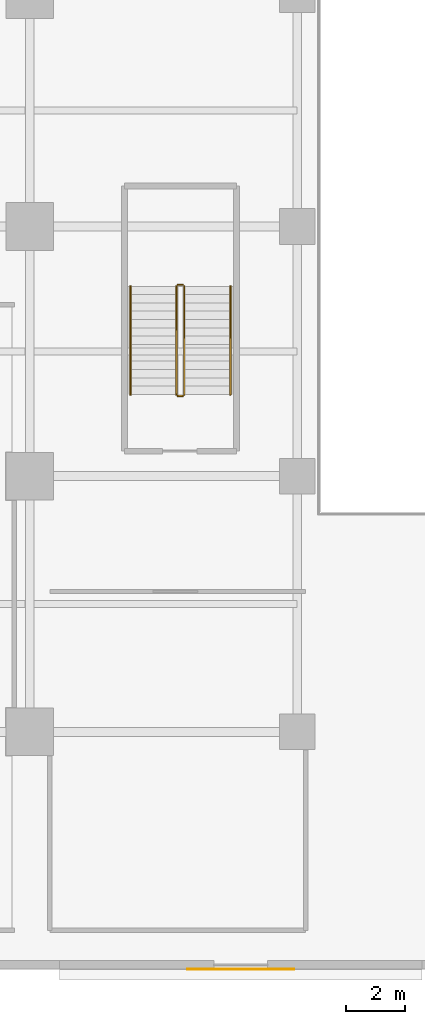
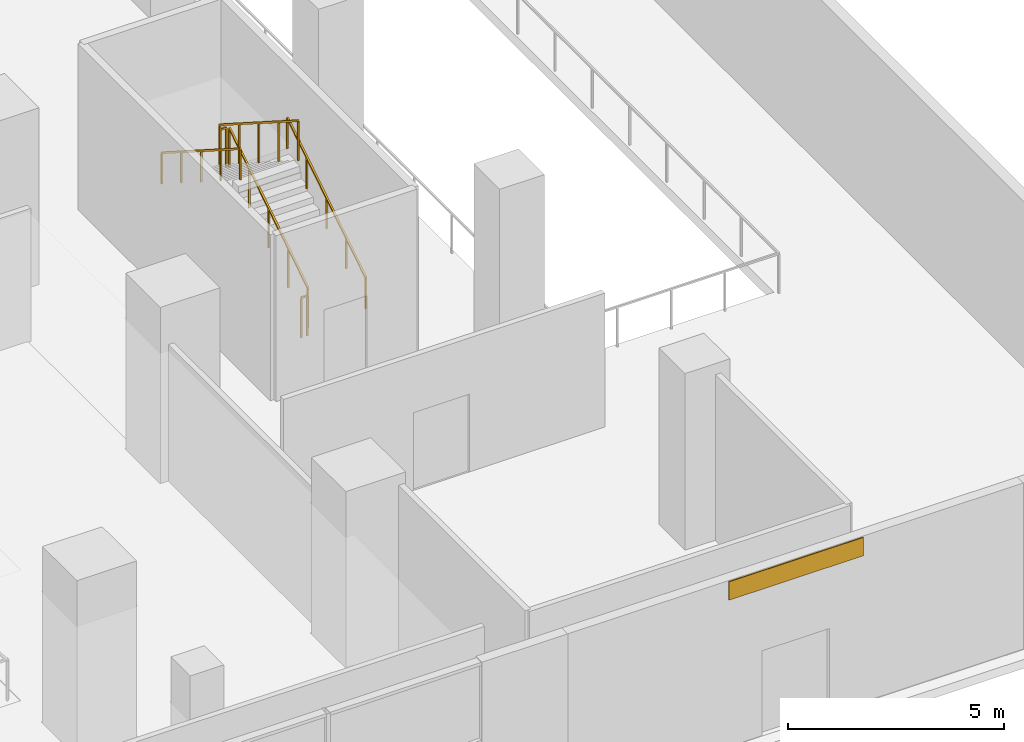
# One storey, part 25 of 27: 6 railings, 1 covering.
"""IFC4 building model written with IfcOpenShell, lengths in metres."""

from ifc_helpers import new_model, si_unit, direction, frame, origin, origin_2d, place, context, subcontext, project, spatial, rectangle, extrude, source, transform, mapped, material, layer, layer_set, type_object, element, save


model = new_model("IFC4")

# Units and contexts
model_context = context("Model", 3, precision=1e-05, world=origin(), true_north=direction((0.0, 1.0)))
body_context = subcontext(model_context, "Body", "Model", "MODEL_VIEW")
ifc_project = project(units=[si_unit("LENGTHUNIT", "METRE"), si_unit("AREAUNIT", "SQUARE_METRE"), si_unit("VOLUMEUNIT", "CUBIC_METRE"), si_unit("PLANEANGLEUNIT", "RADIAN"), si_unit("MASSUNIT", "GRAM", prefix="KILO")], contexts=[model_context])

# Site, building, storey
site_placement = place(None, origin())
site = spatial("IfcSite", under=ifc_project, at=site_placement, CompositionType="ELEMENT")
building_placement = place(site_placement, origin())
building = spatial("IfcBuilding", under=site, at=building_placement, Name="Zarnakvel Exchange Tower", CompositionType="ELEMENT")
storey_placement = place(building_placement, origin())
storey = spatial("IfcBuildingStorey", under=building, at=storey_placement, Name="L00", CompositionType="ELEMENT", Elevation=0.0)

# Railings
ifc_material_1 = material(Name="Brushed Stainless Steel", Category="steel")
railing_type_1 = type_object("IfcRailingType", Name="HR-01", PredefinedType="HANDRAIL", material=ifc_material_1)
railing_1_placement = place(storey_placement, frame((28.35009765625, -6.85009765625, 0.178466796875)))
element("IfcRailing", 1, at=railing_1_placement, inside=storey, type_object=railing_type_1, Name="L00 ST-04 stair handrail 1", PredefinedType="HANDRAIL", context=body_context, shape_type="SweptSolid", body=[
    extrude(rectangle(XDim=0.048095703125, YDim=0.048095703125, at=origin_2d()), frame((0.0, 0.0, 0.8759765625), z_axis=(0.0, 0.843127859045, 0.537713132908), x_axis=(-1.0, 0.0, 0.0)), (0.0, 0.0, 1.0), 4.3173828125),
    extrude(rectangle(XDim=0.0419921875, YDim=0.0419921875, at=origin_2d()), origin(), (0.0, 0.0, 1.0), 0.851806640625),
    extrude(rectangle(XDim=0.0419921875, YDim=0.0419921875, at=origin_2d()), frame((0.0, 0.91015625, 0.580322265625)), (0.0, 0.0, 1.0), 0.851806640625),
    extrude(rectangle(XDim=0.0419921875, YDim=0.0419921875, at=origin_2d()), frame((0.0, 1.820068359375, 1.16064453125)), (0.0, 0.0, 1.0), 0.851806640625),
    extrude(rectangle(XDim=0.0419921875, YDim=0.0419921875, at=origin_2d()), frame((0.0, 2.72998046875, 1.7412109375)), (0.0, 0.0, 1.0), 0.851806640625),
    extrude(rectangle(XDim=0.0419921875, YDim=0.0419921875, at=origin_2d()), frame((0.0, 3.64013671875, 2.321533203125)), (0.0, 0.0, 1.0), 0.851806640625),
])
railing_2_placement = place(storey_placement, frame((24.989990234375, -3.2099609375, 2.678466796875)))
element("IfcRailing", 2, at=railing_2_placement, inside=storey, type_object=railing_type_1, Name="L00 ST-04 stair handrail 2", PredefinedType="HANDRAIL", context=body_context, shape_type="SweptSolid", body=[
    extrude(rectangle(XDim=0.048095703125, YDim=0.048095703125, at=origin_2d()), frame((0.0, 0.0, 0.8759765625), z_axis=(0.0, -0.843127859045, 0.537713132908), x_axis=(1.0, 0.0, 0.0)), (0.0, 0.0, 1.0), 4.3173828125),
    extrude(rectangle(XDim=0.0419921875, YDim=0.0419921875, at=origin_2d()), origin(), (0.0, 0.0, 1.0), 0.851806640625),
    extrude(rectangle(XDim=0.0419921875, YDim=0.0419921875, at=origin_2d()), frame((0.0, -0.91015625, 0.580322265625)), (0.0, 0.0, 1.0), 0.851806640625),
    extrude(rectangle(XDim=0.0419921875, YDim=0.0419921875, at=origin_2d()), frame((0.0, -1.820068359375, 1.16064453125)), (0.0, 0.0, 1.0), 0.851806640625),
    extrude(rectangle(XDim=0.0419921875, YDim=0.0419921875, at=origin_2d()), frame((0.0, -2.72998046875, 1.7412109375)), (0.0, 0.0, 1.0), 0.851806640625),
    extrude(rectangle(XDim=0.0419921875, YDim=0.0419921875, at=origin_2d()), frame((0.0, -3.64013671875, 2.321533203125)), (0.0, 0.0, 1.0), 0.851806640625),
])
ifc_material_2 = material(Name="Architectural Bronze Anodised Aluminium", Category="aluminium")
railing_type_2 = type_object("IfcRailingType", Name="SG-01", PredefinedType="GUARDRAIL", material=ifc_material_2)
railing_3_placement = place(storey_placement, frame((26.800048828125, -6.85009765625, 0.178466796875)))
element("IfcRailing", 3, at=railing_3_placement, inside=storey, type_object=railing_type_2, Name="L00 ST-04 stair guard 1", PredefinedType="GUARDRAIL", context=body_context, shape_type="SweptSolid", body=[
    extrude(rectangle(XDim=0.048095703125, YDim=0.048095703125, at=origin_2d()), frame((0.0, 0.0, 1.1259765625), z_axis=(0.0, 0.843127859045, 0.537713132908), x_axis=(-1.0, 0.0, 0.0)), (0.0, 0.0, 1.0), 4.3173828125),
    extrude(rectangle(XDim=0.0419921875, YDim=0.0419921875, at=origin_2d()), origin(), (0.0, 0.0, 1.0), 1.101806640625),
    extrude(rectangle(XDim=0.0419921875, YDim=0.0419921875, at=origin_2d()), frame((0.0, 0.91015625, 0.580322265625)), (0.0, 0.0, 1.0), 1.101806640625),
    extrude(rectangle(XDim=0.0419921875, YDim=0.0419921875, at=origin_2d()), frame((0.0, 1.820068359375, 1.16064453125)), (0.0, 0.0, 1.0), 1.101806640625),
    extrude(rectangle(XDim=0.0419921875, YDim=0.0419921875, at=origin_2d()), frame((0.0, 2.72998046875, 1.7412109375)), (0.0, 0.0, 1.0), 1.101806640625),
    extrude(rectangle(XDim=0.0419921875, YDim=0.0419921875, at=origin_2d()), frame((0.0, 3.64013671875, 2.321533203125)), (0.0, 0.0, 1.0), 1.101806640625),
])
railing_4_placement = place(storey_placement, frame((26.75, -3.159912109375, 2.5)))
element("IfcRailing", 4, at=railing_4_placement, inside=storey, type_object=railing_type_2, Name="L00 ST-04 stair guard 2", PredefinedType="GUARDRAIL", context=body_context, shape_type="SweptSolid", body=[
    extrude(rectangle(XDim=0.048095703125, YDim=0.048095703125, at=origin_2d()), frame((0.0, 0.0, 1.1259765625), z_axis=(-1.0, 0.0, 0.0), x_axis=(0.0, -1.0, 0.0)), (0.0, 0.0, 1.0), 0.159912109375),
    extrude(rectangle(XDim=0.0419921875, YDim=0.0419921875, at=origin_2d()), origin(), (0.0, 0.0, 1.0), 1.101806640625),
    extrude(rectangle(XDim=0.0419921875, YDim=0.0419921875, at=origin_2d()), frame((-0.159912109375, 0.0, 0.0)), (0.0, 0.0, 1.0), 1.101806640625),
])
railing_5_placement = place(storey_placement, frame((26.5400390625, -3.2099609375, 2.678466796875)))
element("IfcRailing", 5, at=railing_5_placement, inside=storey, type_object=railing_type_2, Name="L00 ST-04 stair guard 3", PredefinedType="GUARDRAIL", context=body_context, shape_type="SweptSolid", body=[
    extrude(rectangle(XDim=0.048095703125, YDim=0.048095703125, at=origin_2d()), frame((0.0, 0.0, 1.1259765625), z_axis=(0.0, -0.843127859045, 0.537713132908), x_axis=(1.0, 0.0, 0.0)), (0.0, 0.0, 1.0), 4.3173828125),
    extrude(rectangle(XDim=0.0419921875, YDim=0.0419921875, at=origin_2d()), origin(), (0.0, 0.0, 1.0), 1.101806640625),
    extrude(rectangle(XDim=0.0419921875, YDim=0.0419921875, at=origin_2d()), frame((0.0, -0.91015625, 0.580322265625)), (0.0, 0.0, 1.0), 1.101806640625),
    extrude(rectangle(XDim=0.0419921875, YDim=0.0419921875, at=origin_2d()), frame((0.0, -1.820068359375, 1.16064453125)), (0.0, 0.0, 1.0), 1.101806640625),
    extrude(rectangle(XDim=0.0419921875, YDim=0.0419921875, at=origin_2d()), frame((0.0, -2.72998046875, 1.7412109375)), (0.0, 0.0, 1.0), 1.101806640625),
    extrude(rectangle(XDim=0.0419921875, YDim=0.0419921875, at=origin_2d()), frame((0.0, -3.64013671875, 2.321533203125)), (0.0, 0.0, 1.0), 1.101806640625),
])
railing_6_placement = place(storey_placement, frame((26.75, -6.89990234375, 0.0)))
element("IfcRailing", 6, at=railing_6_placement, inside=storey, type_object=railing_type_2, Name="L00 ST-04 stair guard 4", PredefinedType="GUARDRAIL", context=body_context, shape_type="SweptSolid", body=[
    extrude(rectangle(XDim=0.048095703125, YDim=0.048095703125, at=origin_2d()), frame((0.0, 0.0, 1.1259765625), z_axis=(-1.0, 0.0, 0.0), x_axis=(0.0, -1.0, 0.0)), (0.0, 0.0, 1.0), 0.159912109375),
    extrude(rectangle(XDim=0.0419921875, YDim=0.0419921875, at=origin_2d()), origin(), (0.0, 0.0, 1.0), 1.101806640625),
    extrude(rectangle(XDim=0.0419921875, YDim=0.0419921875, at=origin_2d()), frame((-0.159912109375, 0.0, 0.0)), (0.0, 0.0, 1.0), 1.101806640625),
])

# Covering
ifc_material_3 = material(Name="Glazed Turquoise Ceramic Architectural Tile", Category="ceramic")
ifc_layer = layer(ifc_material_3, 0.028076171875)
ifc_layer_set = layer_set([ifc_layer], Name="Glazed Turquoise Ceramic Architectural Tile")
covering_type = type_object("IfcCoveringType", Name="CL-01", PredefinedType="CLADDING", material=ifc_layer_set)
shared_shape = source(origin(), body_context, "Body", "SweptSolid", [
    extrude(rectangle(XDim=3.60009765625, YDim=0.028076171875, at=origin_2d()), origin(), (0.0, 0.0, 1.0), 0.52001953125),
])
covering_placement = place(storey_placement, frame((28.699951171875, -26.19189453125, 4.159912109375), z_axis=(0.0, 0.0, 1.0), x_axis=(-1.0, 0.0, 0.0)))
element("IfcCovering", 7, at=covering_placement, inside=storey, type_object=covering_type, Name="L00 Ceramic Spandrel Tilework CL-01", PredefinedType="CLADDING", context=body_context, shape_type="MappedRepresentation", body=[
    mapped(shared_shape, transform((0.0, 0.0, 0.0), x_axis=(1.0, 0.0, 0.0), y_axis=(0.0, 1.0, 0.0), z_axis=(0.0, 0.0, 1.0), scale=1.0)),
])

save(model, "model.ifc")
